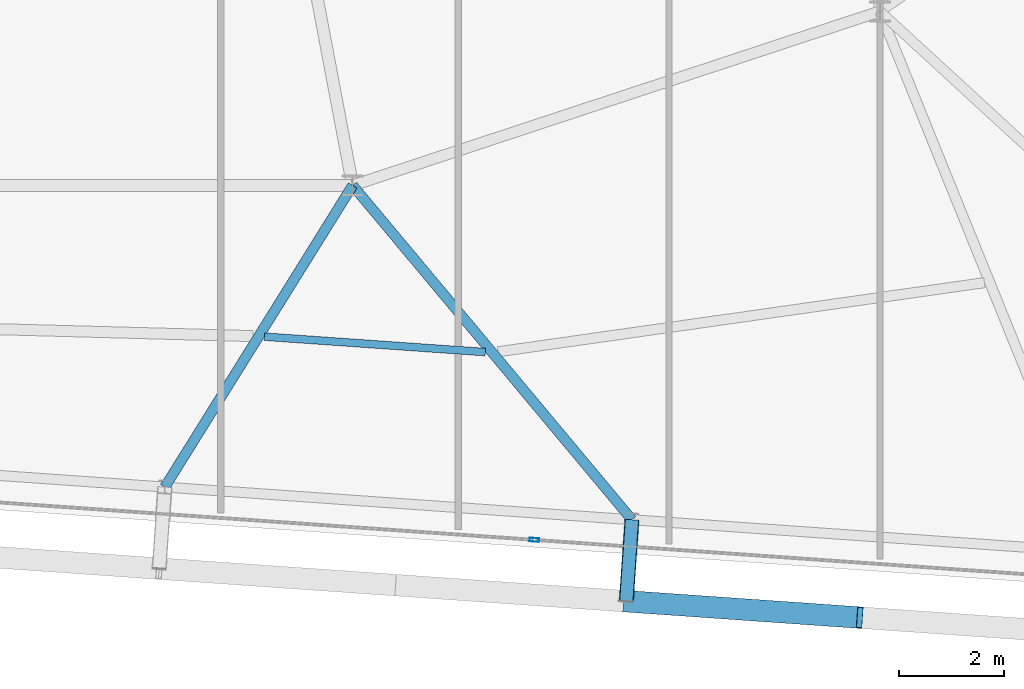
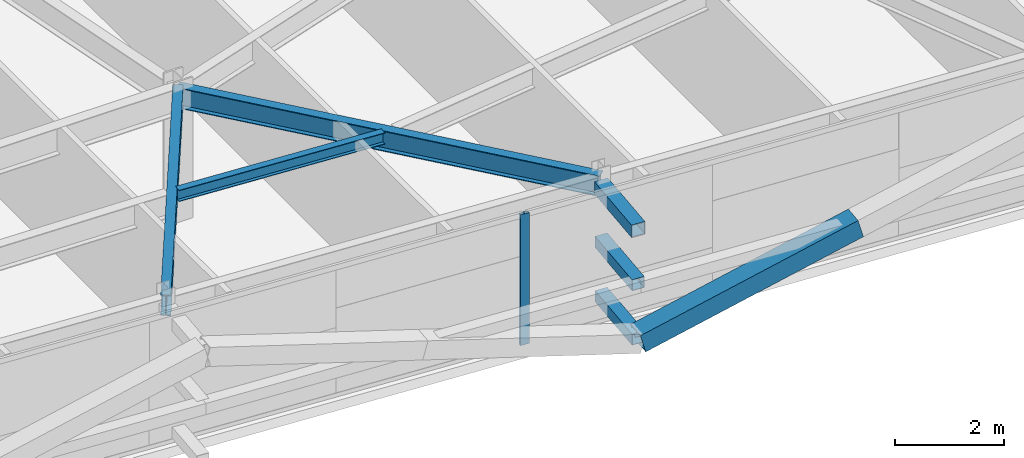
# One storey, part 13 of 39: 5 members, 3 beams, 1 element without a shape of its own.
"""IFC4 building model written with IfcOpenShell, lengths in metres."""

from ifc_helpers import new_model, si_unit, direction, frame, origin, origin_2d, place, context, subcontext, project, spatial, hollow_rectangle, i_section, extrude, source, transform, mapped, material, layer, layer_set, material_profile, profile_set, type_object, element, aggregate, save


model = new_model("IFC4")

# Units and contexts
model_context = context("Model", 3, precision=1e-05, world=origin(), true_north=direction((0.0, 1.0)))
body_context = subcontext(model_context, "Body", "Model", "MODEL_VIEW")
ifc_project = project(units=[si_unit("LENGTHUNIT", "METRE"), si_unit("AREAUNIT", "SQUARE_METRE"), si_unit("VOLUMEUNIT", "CUBIC_METRE"), si_unit("PLANEANGLEUNIT", "RADIAN"), si_unit("MASSUNIT", "GRAM", prefix="KILO")], contexts=[model_context])

# Site, building, storey
site_placement = place(None, origin())
site = spatial("IfcSite", under=ifc_project, at=site_placement, CompositionType="ELEMENT")
building_placement = place(site_placement, origin())
building = spatial("IfcBuilding", under=site, at=building_placement, Name="Taldren Reach Tower", CompositionType="ELEMENT")
storey_placement = place(building_placement, frame((0.0, 0.0, 158.199951171875)))
storey = spatial("IfcBuildingStorey", under=building, at=storey_placement, Name="L48", CompositionType="ELEMENT", Elevation=158.199951171875)

# Members
ifc_material_1 = material(Name="Steel Gr 450 (C450L0)", Category="steel")
ifc_material_profile_1 = material_profile(ifc_material_1, hollow_rectangle(XDim=0.27490234375, YDim=0.27490234375, WallThickness=0.00927734375, at=origin_2d()), Name="275x275x9.3SHS")
ifc_profile_set_1 = profile_set([ifc_material_profile_1], Name="Steel Gr 450 (C450L0)")
member_type_1 = type_object("IfcMemberType", Name="MB-TIE273", PredefinedType="STRUT", material=ifc_profile_set_1)
shared_shape_1 = source(origin(), body_context, "Body", "SweptSolid", [
    extrude(hollow_rectangle(XDim=0.27490234375, YDim=0.27490234375, WallThickness=0.00927734375, at=origin_2d()), origin(), (0.0, 0.0, 1.0), 1.5498046875),
])
member_1_placement = place(storey_placement, frame((47.297119140625, 2.860595703125, 2.650146484375), z_axis=(-0.069780535098, -0.997562367434, 0.0), x_axis=(0.997562367434, -0.069780535098, 0.0)))
element("IfcMember", 1, at=member_1_placement, inside=storey, type_object=member_type_1, Name="Exoskeleton diaphragm tie strut B3-S5 L48", PredefinedType="STRUT", context=body_context, shape_type="MappedRepresentation", body=[
    mapped(shared_shape_1, transform((0.0, 0.0, 0.0), scale=1.0)),
])
ifc_material_2 = material(Name="Steel Gr 350 (C350L0)", Category="steel")
ifc_material_profile_2 = material_profile(ifc_material_2, hollow_rectangle(XDim=0.25, YDim=0.25, WallThickness=0.010009765625, at=origin_2d()), Name="250x250x10.0SHS")
ifc_profile_set_2 = profile_set([ifc_material_profile_2], Name="Steel Gr 350 (C350L0)")
member_type_2 = type_object("IfcMemberType", Name="MB-POST250", PredefinedType="POST", material=ifc_profile_set_2)
shared_shape_2 = source(origin(), body_context, "Body", "SweptSolid", [
    extrude(hollow_rectangle(XDim=0.25, YDim=0.25, WallThickness=0.010009765625, at=origin_2d()), origin(), (0.0, 0.0, 1.0), 1.5498046875),
])
for number, where, z_axis, x_axis, name in (
    (2, (47.297119140625, 2.860595703125, 0.219970703125), (-0.069780535098, -0.997562367434, 0.0), (0.997562367434, -0.069780535098, 0.0), "Exoskeleton base diaphragm tie strut B3-S5 L48"),
    (3, (47.297119140625, 2.860595703125, 1.43505859375), (-0.069780535098, -0.997562367434, 0.0), (0.997562367434, -0.069780535098, 0.0), "Exoskeleton mid-tier diaphragm tie B3-S5 L48"),
):
    element("IfcMember", number, at=place(storey_placement, frame(where, z_axis=z_axis, x_axis=x_axis)), inside=storey, type_object=member_type_2, Name=name, PredefinedType="POST", context=body_context, shape_type="MappedRepresentation", body=[
        mapped(shared_shape_2, transform((0.0, 0.0, 0.0), scale=1.0)),
    ])

# Beams
ifc_material_3 = material(Name="Steel Gr 350 (350PLUS)", Category="steel")
ifc_material_profile_3 = material_profile(ifc_material_3, i_section(OverallWidth=0.19091796875, OverallDepth=0.4599609375, WebThickness=0.010009765625, FlangeThickness=0.01611328125, at=origin_2d()), Name="460UB82.1")
ifc_profile_set_3 = profile_set([ifc_material_profile_3], Name="Steel Gr 350 (350PLUS)")
beam_type_1 = type_object("IfcBeamType", Name="BM-UB460A", PredefinedType="BEAM", material=ifc_profile_set_3)
shared_shape_3 = source(origin(), body_context, "Body", "SweptSolid", [
    extrude(i_section(OverallWidth=0.19091796875, OverallDepth=0.4599609375, WebThickness=0.010009765625, FlangeThickness=0.01611328125, at=origin_2d()), origin(), (0.0, 0.0, 1.0), 6.73779296875),
])
beam_1_placement = place(storey_placement, frame((42.0, 9.199951171875, 2.699951171875), z_axis=(-0.528552048024, -0.848900896765, 0.0), x_axis=(0.848900896765, -0.528552048024, 0.0)))
element("IfcBeam", 4, at=beam_1_placement, inside=storey, type_object=beam_type_1, Name="Primary floor girder B3-S4 L48", PredefinedType="BEAM", context=body_context, shape_type="MappedRepresentation", body=[
    mapped(shared_shape_3, transform((0.0, 0.0, 0.0), scale=1.0)),
])
shared_shape_4 = source(origin(), body_context, "Body", "SweptSolid", [
    extrude(i_section(OverallWidth=0.19091796875, OverallDepth=0.4599609375, WebThickness=0.010009765625, FlangeThickness=0.01611328125, at=origin_2d()), origin(), (0.0, 0.0, 1.0), 8.26123046875),
])
beam_2_placement = place(storey_placement, frame((42.0, 9.199951171875, 2.699951171875), z_axis=(0.64120703686, -0.767367927322, 0.0), x_axis=(0.767367927322, 0.64120703686, 0.0)))
element("IfcBeam", 5, at=beam_2_placement, inside=storey, type_object=beam_type_1, Name="Primary floor girder B3-S5 L48", PredefinedType="BEAM", context=body_context, shape_type="MappedRepresentation", body=[
    mapped(shared_shape_4, transform((0.0, 0.0, 0.0), scale=1.0)),
])
ifc_material_4 = material(Name="Steel Gr 300 (300PLUS, 300 MPa)", Category="steel")
ifc_material_profile_4 = material_profile(ifc_material_4, i_section(OverallWidth=0.14599609375, OverallDepth=0.256103515625, WebThickness=0.00634765625, FlangeThickness=0.010986328125, at=origin_2d()), Name="250UB37.3")
ifc_profile_set_4 = profile_set([ifc_material_profile_4], Name="Steel Gr 300 (300PLUS, 300 MPa)")
beam_type_2 = type_object("IfcBeamType", Name="JS-UB250", PredefinedType="JOIST", material=ifc_profile_set_4)
shared_shape_5 = source(origin(), body_context, "Body", "SweptSolid", [
    extrude(i_section(OverallWidth=0.14599609375, OverallDepth=0.256103515625, WebThickness=0.00634765625, FlangeThickness=0.010986328125, at=origin_2d()), origin(), (0.0, 0.0, 1.0), 4.199462890625),
])
beam_3_placement = place(storey_placement, frame((40.3271484375, 6.33251953125, 2.802001953125), z_axis=(0.99756354117, -0.069763753681, 0.0), x_axis=(0.069763753681, 0.99756354117, 0.0)))
element("IfcBeam", 6, at=beam_3_placement, inside=storey, type_object=beam_type_2, Name="Secondary floor joist B3 J4 L48", PredefinedType="JOIST", context=body_context, shape_type="MappedRepresentation", body=[
    mapped(shared_shape_5, transform((0.0, 0.0, 0.0), scale=1.0)),
])

# Member
ifc_material_profile_5 = material_profile(ifc_material_1, hollow_rectangle(XDim=0.409912109375, YDim=0.409912109375, WallThickness=0.01611328125, at=origin_2d()), Name="410x410x16.0SHS")
ifc_profile_set_5 = profile_set([ifc_material_profile_5], Name="Steel Gr 450 (C450L0)")
member_type_3 = type_object("IfcMemberType", Name="MB-EXO406", PredefinedType="BRACE", material=ifc_profile_set_5)
shared_shape_6 = source(origin(), body_context, "Body", "SweptSolid", [
    extrude(hollow_rectangle(XDim=0.409912109375, YDim=0.409912109375, WallThickness=0.01611328125, at=origin_2d()), origin(), (0.0, 0.0, 1.0), 4.603271484375),
])
member_2_placement = place(storey_placement, frame((47.18896484375, 1.314453125, 0.219970703125), z_axis=(0.962182351074, -0.067302910567, 0.263961060594), x_axis=(0.06977769246, 0.997562566276, 0.0)))
element("IfcMember", 7, at=member_2_placement, inside=storey, type_object=member_type_3, Name="Exoskeleton Diagrid Brace B3-S5 L48", PredefinedType="BRACE", context=body_context, shape_type="MappedRepresentation", body=[
    mapped(shared_shape_6, transform((0.0, 0.0, 0.0), scale=1.0)),
])

# Curtain wall, member
ifc_material_5 = material(Name="Aluminium and Low-E Glass Unitised System", Category="aluminium")
ifc_layer = layer(ifc_material_5, 0.159912109375)
ifc_layer_set = layer_set([ifc_layer], Name="Aluminium and Low-E Glass Unitised System")
curtain_wall_type = type_object("IfcCurtainWallType", Name="CW-SYS-4", PredefinedType="NOTDEFINED", material=ifc_layer_set)
curtain_wall_placement = place(storey_placement, origin())
curtain_wall = element("IfcCurtainWall", 8, at=curtain_wall_placement, inside=storey, type_object=curtain_wall_type, Name="Unitised curtain wall CW-L48-S", PredefinedType="NOTDEFINED")
ifc_material_6 = material(Name="Anodised Aluminium 6063-T6", Category="aluminium")
ifc_material_profile_6 = material_profile(ifc_material_6, hollow_rectangle(XDim=0.070068359375, YDim=0.179931640625, WallThickness=0.00390625, at=origin_2d()), Name="ALU-180x70x4RHS")
ifc_profile_set_6 = profile_set([ifc_material_profile_6], Name="Anodised Aluminium 6063-T6")
member_type_4 = type_object("IfcMemberType", Name="CW-MUL-180", PredefinedType="MULLION", material=ifc_profile_set_6)
shared_shape_7 = source(origin(), body_context, "Body", "SweptSolid", [
    extrude(hollow_rectangle(XDim=0.070068359375, YDim=0.179931640625, WallThickness=0.00390625, at=origin_2d()), origin(), (0.0, 0.0, 1.0), 2.929931640625),
])
member_3_placement = place(storey_placement, frame((45.44580078125, 2.478759765625, 0.0), z_axis=(0.0, 0.0, 1.0), x_axis=(0.06975651593, 0.99756404731, 0.0)))
member_3 = element("IfcMember", 9, at=member_3_placement, type_object=member_type_4, Name="CW-4 mullion 4", PredefinedType="MULLION", context=body_context, shape_type="MappedRepresentation", body=[
    mapped(shared_shape_7, transform((0.0, 0.0, 0.0), scale=1.0)),
])
aggregate(curtain_wall, [member_3])

save(model, "model.ifc")
